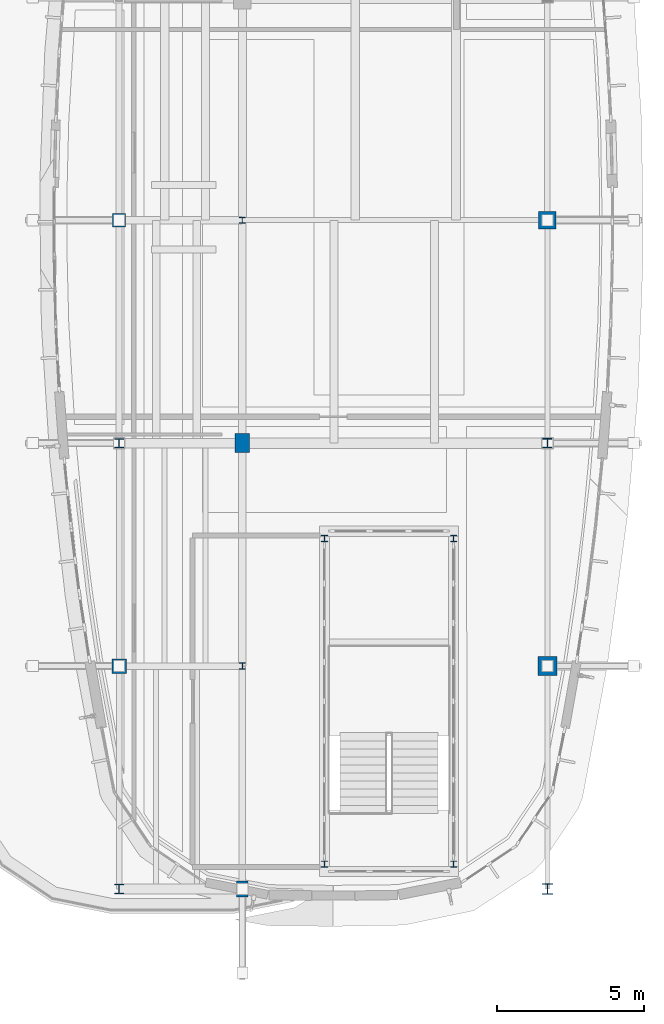
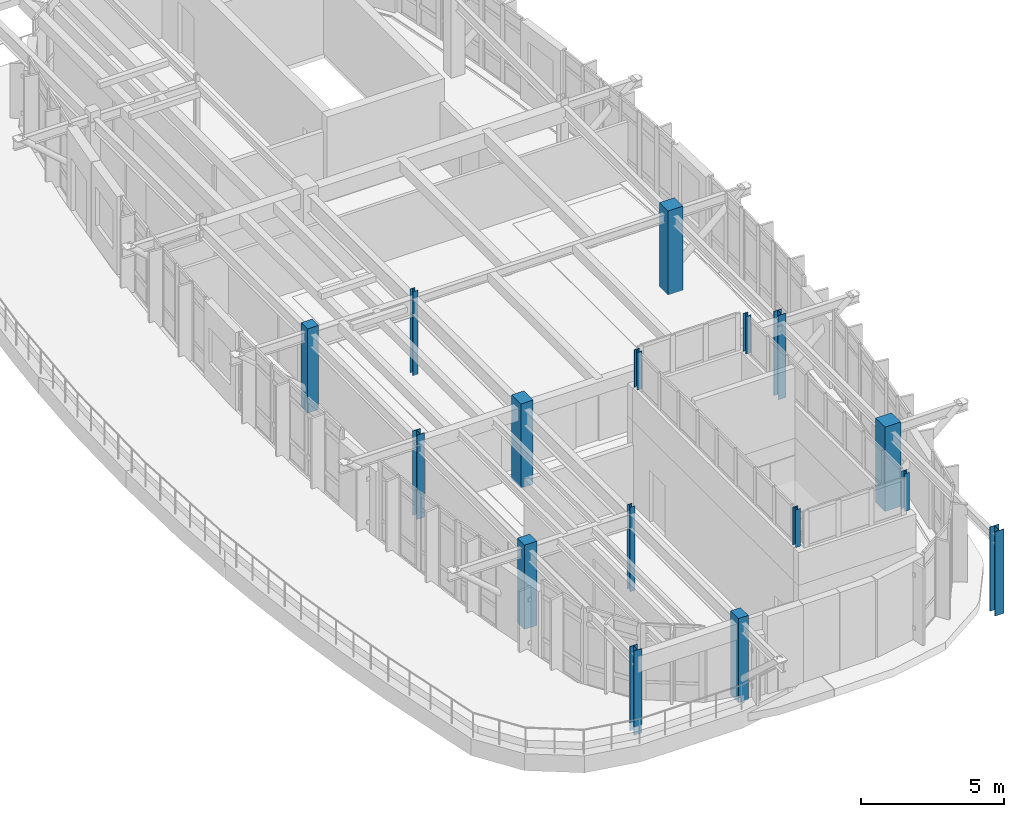
# One storey, part 1 of 20: 16 columns.
"""IFC4 building model written with IfcOpenShell, lengths in metres."""

from ifc_helpers import new_model, si_unit, direction, frame, origin, origin_2d, place, context, subcontext, project, spatial, rectangle, i_section, extrude, material, material_profile, profile_set, type_object, element, save


model = new_model("IFC4")

# Units and contexts
model_context = context("Model", 3, precision=1e-05, world=origin(), true_north=direction((0.0, 1.0)))
body_context = subcontext(model_context, "Body", "Model", "MODEL_VIEW")
ifc_project = project(units=[si_unit("LENGTHUNIT", "METRE"), si_unit("AREAUNIT", "SQUARE_METRE"), si_unit("VOLUMEUNIT", "CUBIC_METRE"), si_unit("PLANEANGLEUNIT", "RADIAN"), si_unit("MASSUNIT", "GRAM", prefix="KILO")], contexts=[model_context])

# Site, building, storey
site_placement = place(None, origin())
site = spatial("IfcSite", under=ifc_project, at=site_placement, CompositionType="ELEMENT")
building_placement = place(site_placement, origin())
building = spatial("IfcBuilding", under=site, at=building_placement, Name="Corveleigh Park Community Centre", CompositionType="ELEMENT")
storey_placement = place(building_placement, frame((0.0, 0.0, 19.800048828125)))
storey = spatial("IfcBuildingStorey", under=building, at=storey_placement, Name="L05", CompositionType="ELEMENT", Elevation=19.800048828125)

# Columns
ifc_material_1 = material(Name="Concrete C40/50", Category="concrete")
ifc_material_profile_1 = material_profile(ifc_material_1, rectangle(XDim=0.39990234375, YDim=0.550048828125, at=origin_2d()), Name="RC-400x550", Category="concrete")
ifc_profile_set_1 = profile_set([ifc_material_profile_1], Name="Concrete C40/50")
column_type_1 = type_object("IfcColumnType", Name="COL-RC-400x550", PredefinedType="COLUMN", material=ifc_profile_set_1)
column_1_placement = place(storey_placement, frame((158.0, 58.60009765625, 0.0), z_axis=(0.0, 0.0, 1.0), x_axis=(1.0, 0.0, 0.0)))
element("IfcColumn", 1, at=column_1_placement, inside=storey, type_object=column_type_1, Name="Column V4-X6Y0 L05", PredefinedType="COLUMN", context=body_context, shape_type="SweptSolid", body=[
    extrude(rectangle(XDim=0.39990234375, YDim=0.550048828125, at=origin_2d()), origin(), (0.0, 0.0, 1.0), 3.599853515625),
])
ifc_material_profile_2 = material_profile(ifc_material_1, rectangle(XDim=0.449951171875, YDim=0.449951171875, at=origin_2d()), Name="RC-450x450", Category="concrete")
ifc_profile_set_2 = profile_set([ifc_material_profile_2], Name="Concrete C40/50")
column_type_2 = type_object("IfcColumnType", Name="COL-RC-450x450", PredefinedType="COLUMN", material=ifc_profile_set_2)
column_2_placement = place(storey_placement, frame((153.800048828125, 81.39990234375, 0.0), z_axis=(0.0, 0.0, 1.0), x_axis=(1.0, 0.0, 0.0)))
element("IfcColumn", 2, at=column_2_placement, inside=storey, type_object=column_type_2, Name="Column V4-X5Y3 L05", PredefinedType="COLUMN", context=body_context, shape_type="SweptSolid", body=[
    extrude(rectangle(XDim=0.449951171875, YDim=0.449951171875, at=origin_2d()), origin(), (0.0, 0.0, 1.0), 3.599853515625),
])
ifc_material_profile_3 = material_profile(ifc_material_1, rectangle(XDim=0.5, YDim=0.5, at=origin_2d()), Name="RC-500x500", Category="concrete")
ifc_profile_set_3 = profile_set([ifc_material_profile_3], Name="Concrete C40/50")
column_type_3 = type_object("IfcColumnType", Name="COL-RC-500x500", PredefinedType="COLUMN", material=ifc_profile_set_3)
column_3_placement = place(storey_placement, frame((153.800048828125, 66.199951171875, 0.0), z_axis=(0.0, 0.0, 1.0), x_axis=(1.0, 0.0, 0.0)))
element("IfcColumn", 3, at=column_3_placement, inside=storey, type_object=column_type_3, Name="Column V4-X5Y1 L05", PredefinedType="COLUMN", context=body_context, shape_type="SweptSolid", body=[
    extrude(rectangle(XDim=0.5, YDim=0.5, at=origin_2d()), origin(), (0.0, 0.0, 1.0), 3.599853515625),
])
ifc_material_profile_4 = material_profile(ifc_material_1, rectangle(XDim=0.5, YDim=0.64990234375, at=origin_2d()), Name="RC-500x650", Category="concrete")
ifc_profile_set_4 = profile_set([ifc_material_profile_4], Name="Concrete C40/50")
column_type_4 = type_object("IfcColumnType", Name="COL-RC-500x650", PredefinedType="COLUMN", material=ifc_profile_set_4)
column_4_placement = place(storey_placement, frame((158.0, 73.800048828125, 0.0), z_axis=(0.0, 0.0, 1.0), x_axis=(1.0, 0.0, 0.0)))
element("IfcColumn", 4, at=column_4_placement, inside=storey, type_object=column_type_4, Name="Column V4-X6Y2 L05", PredefinedType="COLUMN", context=body_context, shape_type="SweptSolid", body=[
    extrude(rectangle(XDim=0.5, YDim=0.64990234375, at=origin_2d()), origin(), (0.0, 0.0, 1.0), 3.599853515625),
])
ifc_material_profile_5 = material_profile(ifc_material_1, rectangle(XDim=0.60009765625, YDim=0.60009765625, at=origin_2d()), Name="RC-600x600", Category="concrete")
ifc_profile_set_5 = profile_set([ifc_material_profile_5], Name="Concrete C40/50")
column_type_5 = type_object("IfcColumnType", Name="COL-RC-600x600", PredefinedType="COLUMN", material=ifc_profile_set_5)
column_5_placement = place(storey_placement, frame((168.39990234375, 81.39990234375, 0.0), z_axis=(0.0, 0.0, 1.0), x_axis=(1.0, 0.0, 0.0)))
element("IfcColumn", 5, at=column_5_placement, inside=storey, type_object=column_type_5, Name="Column V4-X7Y3 L05", PredefinedType="COLUMN", context=body_context, shape_type="SweptSolid", body=[
    extrude(rectangle(XDim=0.60009765625, YDim=0.60009765625, at=origin_2d()), origin(), (0.0, 0.0, 1.0), 3.599853515625),
])
ifc_material_profile_6 = material_profile(ifc_material_1, rectangle(XDim=0.64990234375, YDim=0.64990234375, at=origin_2d()), Name="RC-650x650", Category="concrete")
ifc_profile_set_6 = profile_set([ifc_material_profile_6], Name="Concrete C40/50")
column_type_6 = type_object("IfcColumnType", Name="COL-RC-650x650", PredefinedType="COLUMN", material=ifc_profile_set_6)
column_6_placement = place(storey_placement, frame((168.39990234375, 66.199951171875, 0.0), z_axis=(0.0, 0.0, 1.0), x_axis=(1.0, 0.0, 0.0)))
element("IfcColumn", 6, at=column_6_placement, inside=storey, type_object=column_type_6, Name="Column V4-X7Y1 L05", PredefinedType="COLUMN", context=body_context, shape_type="SweptSolid", body=[
    extrude(rectangle(XDim=0.64990234375, YDim=0.64990234375, at=origin_2d()), origin(), (0.0, 0.0, 1.0), 3.599853515625),
])
ifc_material_2 = material(Name="Steel S355", Category="steel")
ifc_material_profile_7 = material_profile(ifc_material_2, i_section(OverallWidth=0.204345703125, OverallDepth=0.206298828125, WebThickness=0.0078125, FlangeThickness=0.012451171875, at=origin_2d()), Name="UKC 203x203x52", Category="steel")
ifc_profile_set_7 = profile_set([ifc_material_profile_7], Name="Steel S355")
column_type_7 = type_object("IfcColumnType", Name="COL-STL-UKC203x52", PredefinedType="COLUMN", material=ifc_profile_set_7)
column_7_placement = place(storey_placement, frame((158.0, 81.39990234375, 0.0), z_axis=(0.0, 0.0, 1.0), x_axis=(1.0, 0.0, 0.0)))
element("IfcColumn", 7, at=column_7_placement, inside=storey, type_object=column_type_7, Name="Column V4-X6Y3 L05", PredefinedType="COLUMN", context=body_context, shape_type="SweptSolid", body=[
    extrude(i_section(OverallWidth=0.204345703125, OverallDepth=0.206298828125, WebThickness=0.0078125, FlangeThickness=0.012451171875, at=origin_2d()), origin(), (0.0, 0.0, 1.0), 3.599853515625),
])
ifc_material_profile_8 = material_profile(ifc_material_2, i_section(OverallWidth=0.205810546875, OverallDepth=0.209716796875, WebThickness=0.009521484375, FlangeThickness=0.01416015625, at=origin_2d()), Name="UKC 203x203x60", Category="steel")
ifc_profile_set_8 = profile_set([ifc_material_profile_8], Name="Steel S355")
column_type_8 = type_object("IfcColumnType", Name="COL-STL-UKC203x60", PredefinedType="COLUMN", material=ifc_profile_set_8)
for number, where, z_axis, x_axis, name in (
    (8, (160.800048828125, 59.449951171875, 5.0), (0.0, 0.0, 1.0), (1.0, 0.0, 0.0), "Lantern corner post 1"),
    (9, (165.199951171875, 59.449951171875, 5.0), (0.0, 0.0, 1.0), (1.0, 0.0, 0.0), "Lantern corner post 2"),
    (10, (160.800048828125, 70.550048828125, 5.0), (0.0, 0.0, 1.0), (1.0, 0.0, 0.0), "Lantern corner post 3"),
    (11, (165.199951171875, 70.550048828125, 5.0), (0.0, 0.0, 1.0), (1.0, 0.0, 0.0), "Lantern corner post 4"),
):
    element("IfcColumn", number, at=place(storey_placement, frame(where, z_axis=z_axis, x_axis=x_axis)), inside=storey, type_object=column_type_8, Name=name, PredefinedType="COLUMN", context=body_context, shape_type="SweptSolid", body=[
        extrude(i_section(OverallWidth=0.205810546875, OverallDepth=0.209716796875, WebThickness=0.009521484375, FlangeThickness=0.01416015625, at=origin_2d()), origin(), (0.0, 0.0, 1.0), 1.60791015625),
    ])
ifc_material_profile_9 = material_profile(ifc_material_2, i_section(OverallWidth=0.206298828125, OverallDepth=0.2158203125, WebThickness=0.010009765625, FlangeThickness=0.017333984375, at=origin_2d()), Name="UKC 203x203x71", Category="steel")
ifc_profile_set_9 = profile_set([ifc_material_profile_9], Name="Steel S355")
column_type_9 = type_object("IfcColumnType", Name="COL-STL-UKC203x71", PredefinedType="COLUMN", material=ifc_profile_set_9)
column_8_placement = place(storey_placement, frame((158.0, 66.199951171875, 0.0), z_axis=(0.0, 0.0, 1.0), x_axis=(1.0, 0.0, 0.0)))
element("IfcColumn", 12, at=column_8_placement, inside=storey, type_object=column_type_9, Name="Column V4-X6Y1 L05", PredefinedType="COLUMN", context=body_context, shape_type="SweptSolid", body=[
    extrude(i_section(OverallWidth=0.206298828125, OverallDepth=0.2158203125, WebThickness=0.010009765625, FlangeThickness=0.017333984375, at=origin_2d()), origin(), (0.0, 0.0, 1.0), 3.599853515625),
])
ifc_material_profile_10 = material_profile(ifc_material_2, i_section(OverallWidth=0.307373046875, OverallDepth=0.314453125, WebThickness=0.011962890625, FlangeThickness=0.018798828125, at=origin_2d()), Name="UKC 305x305x118", Category="steel")
ifc_profile_set_10 = profile_set([ifc_material_profile_10], Name="Steel S355")
column_type_10 = type_object("IfcColumnType", Name="COL-STL-UKC305x118", PredefinedType="COLUMN", material=ifc_profile_set_10)
column_9_placement = place(storey_placement, frame((153.800048828125, 73.800048828125, 0.0), z_axis=(0.0, 0.0, 1.0), x_axis=(1.0, 0.0, 0.0)))
element("IfcColumn", 13, at=column_9_placement, inside=storey, type_object=column_type_10, Name="Column V4-X5Y2 L05", PredefinedType="COLUMN", context=body_context, shape_type="SweptSolid", body=[
    extrude(i_section(OverallWidth=0.307373046875, OverallDepth=0.314453125, WebThickness=0.011962890625, FlangeThickness=0.018798828125, at=origin_2d()), origin(), (0.0, 0.0, 1.0), 3.599853515625),
])
ifc_material_profile_11 = material_profile(ifc_material_2, i_section(OverallWidth=0.30908203125, OverallDepth=0.320556640625, WebThickness=0.013916015625, FlangeThickness=0.021728515625, at=origin_2d()), Name="UKC 305x305x137", Category="steel")
ifc_profile_set_11 = profile_set([ifc_material_profile_11], Name="Steel S355")
column_type_11 = type_object("IfcColumnType", Name="COL-STL-UKC305x137", PredefinedType="COLUMN", material=ifc_profile_set_11)
column_10_placement = place(storey_placement, frame((168.39990234375, 73.800048828125, 0.0), z_axis=(0.0, 0.0, 1.0), x_axis=(1.0, 0.0, 0.0)))
element("IfcColumn", 14, at=column_10_placement, inside=storey, type_object=column_type_11, Name="Column V4-X7Y2 L05", PredefinedType="COLUMN", context=body_context, shape_type="SweptSolid", body=[
    extrude(i_section(OverallWidth=0.30908203125, OverallDepth=0.320556640625, WebThickness=0.013916015625, FlangeThickness=0.021728515625, at=origin_2d()), origin(), (0.0, 0.0, 1.0), 3.599853515625),
])
ifc_material_profile_12 = material_profile(ifc_material_2, i_section(OverallWidth=0.311279296875, OverallDepth=0.3271484375, WebThickness=0.015869140625, FlangeThickness=0.02490234375, at=origin_2d()), Name="UKC 305x305x158", Category="steel")
ifc_profile_set_12 = profile_set([ifc_material_profile_12], Name="Steel S355")
column_type_12 = type_object("IfcColumnType", Name="COL-STL-UKC305x158", PredefinedType="COLUMN", material=ifc_profile_set_12)
column_11_placement = place(storey_placement, frame((153.800048828125, 58.60009765625, 0.0), z_axis=(0.0, 0.0, 1.0), x_axis=(1.0, 0.0, 0.0)))
element("IfcColumn", 15, at=column_11_placement, inside=storey, type_object=column_type_12, Name="Column V4-X5Y0 L05", PredefinedType="COLUMN", context=body_context, shape_type="SweptSolid", body=[
    extrude(i_section(OverallWidth=0.311279296875, OverallDepth=0.3271484375, WebThickness=0.015869140625, FlangeThickness=0.02490234375, at=origin_2d()), origin(), (0.0, 0.0, 1.0), 3.599853515625),
])
ifc_material_profile_13 = material_profile(ifc_material_2, i_section(OverallWidth=0.37060546875, OverallDepth=0.362060546875, WebThickness=0.01220703125, FlangeThickness=0.020751953125, at=origin_2d()), Name="UKC 356x368x153", Category="steel")
ifc_profile_set_13 = profile_set([ifc_material_profile_13], Name="Steel S355")
column_type_13 = type_object("IfcColumnType", Name="COL-STL-UKC356x153", PredefinedType="COLUMN", material=ifc_profile_set_13)
column_12_placement = place(storey_placement, frame((168.39990234375, 58.60009765625, 0.0), z_axis=(0.0, 0.0, 1.0), x_axis=(1.0, 0.0, 0.0)))
element("IfcColumn", 16, at=column_12_placement, inside=storey, type_object=column_type_13, Name="Column V4-X7Y0 L05", PredefinedType="COLUMN", context=body_context, shape_type="SweptSolid", body=[
    extrude(i_section(OverallWidth=0.37060546875, OverallDepth=0.362060546875, WebThickness=0.01220703125, FlangeThickness=0.020751953125, at=origin_2d()), origin(), (0.0, 0.0, 1.0), 3.599853515625),
])

save(model, "model.ifc")
